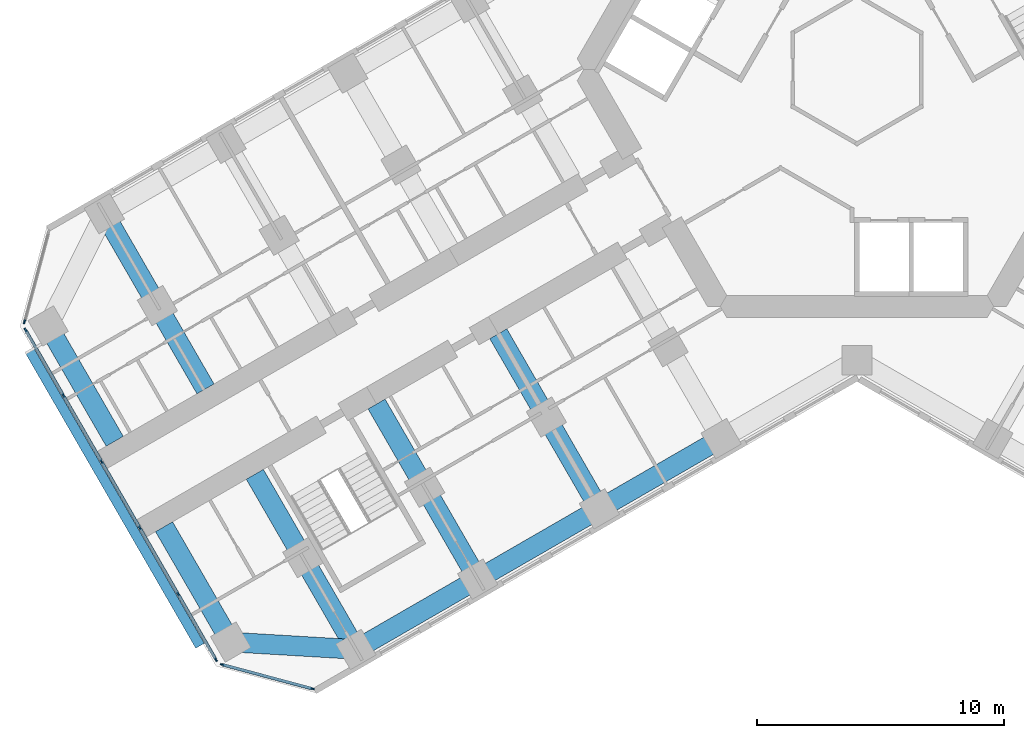
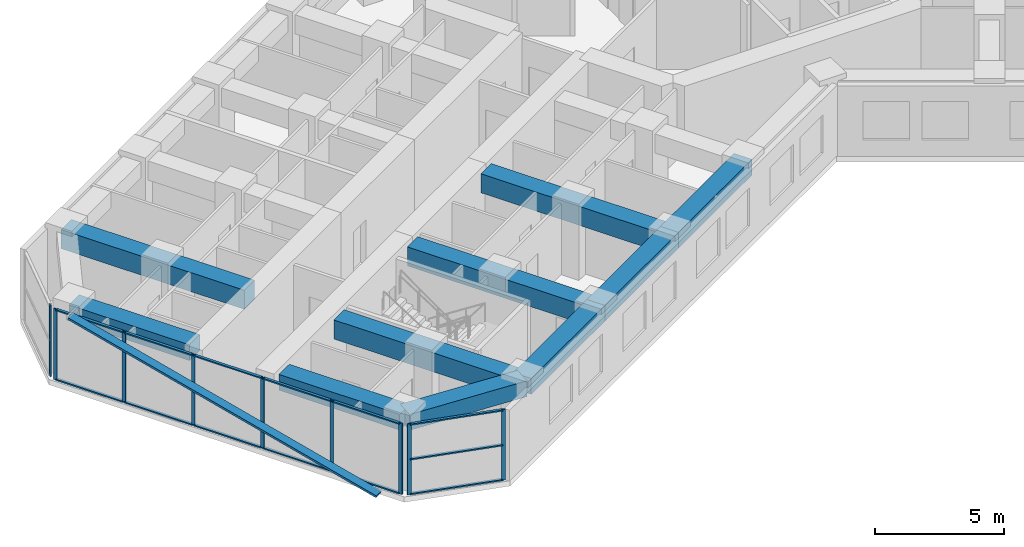
# One storey, part 2 of 20: 23 members, 10 beams, 3 elements without a shape of their own.
"""IFC4 building model written with IfcOpenShell, lengths in metres."""

from ifc_helpers import new_model, si_unit, direction, frame, origin, origin_2d, place, context, subcontext, project, spatial, rectangle, extrude, material, material_profile, profile_set, type_object, element, aggregate, save


model = new_model("IFC4")

# Units and contexts
model_context = context("Model", 3, precision=1e-05, world=origin(), true_north=direction((0.0, 1.0)))
body_context = subcontext(model_context, "Body", "Model", "MODEL_VIEW")
ifc_project = project(units=[si_unit("LENGTHUNIT", "METRE"), si_unit("AREAUNIT", "SQUARE_METRE"), si_unit("VOLUMEUNIT", "CUBIC_METRE"), si_unit("PLANEANGLEUNIT", "RADIAN"), si_unit("MASSUNIT", "GRAM", prefix="KILO")], contexts=[model_context])

# Site, building, storey
site_placement = place(None, origin())
site = spatial("IfcSite", under=ifc_project, at=site_placement, CompositionType="ELEMENT")
building_placement = place(site_placement, origin())
building = spatial("IfcBuilding", under=site, at=building_placement, Name="Kosmar Iwan School Tower", CompositionType="ELEMENT")
storey_placement = place(building_placement, frame((0.0, 0.0, 127.39990234375)))
storey = spatial("IfcBuildingStorey", under=building, at=storey_placement, Name="L31", CompositionType="ELEMENT", Elevation=127.39990234375)

# Member
ifc_material_1 = material(Name="Black anodised aluminium", Category="aluminium")
ifc_material_profile_1 = material_profile(ifc_material_1, rectangle(XDim=0.10009765625, YDim=0.39990234375, at=origin_2d()), Name="FIN 100x400")
ifc_profile_set_1 = profile_set([ifc_material_profile_1], Name="Black anodised aluminium")
member_type_1 = type_object("IfcMemberType", Name="Diagonal fin 100x400", PredefinedType="USERDEFINED", material=ifc_profile_set_1)
member_1_placement = place(storey_placement, frame((-26.645263671875, -23.34912109375, -0.14990234375), z_axis=(-0.483793446988, 0.837970316603, 0.25248692866), x_axis=(0.126241714543, -0.218661104574, 0.96760030532)))
element("IfcMember", 1, at=member_1_placement, inside=storey, type_object=member_type_1, Name="Diagonal fin L31-F13", ObjectType="FIN", PredefinedType="USERDEFINED", context=body_context, shape_type="SweptSolid", body=[
    extrude(rectangle(XDim=0.10009765625, YDim=0.39990234375, at=origin_2d()), origin(), (0.0, 0.0, 1.0), 14.258544921875),
])

# Curtain wall, member
ifc_material_2 = material(Name="Dark glass in black aluminium frame", Category="aluminium")
curtain_wall_type_1 = type_object("IfcCurtainWallType", Name="Chamfer curtain wall dark glass", PredefinedType="USERDEFINED", material=ifc_material_2)
curtain_wall_1_placement = place(storey_placement, origin())
curtain_wall_1 = element("IfcCurtainWall", 2, at=curtain_wall_1_placement, inside=storey, type_object=curtain_wall_type_1, Name="Curtain wall L31-F12", ObjectType="FACETED CURTAIN WALL", PredefinedType="USERDEFINED")
ifc_material_3 = material(Name="Black anodised aluminium", Category="aluminium")
ifc_material_profile_2 = material_profile(ifc_material_3, rectangle(XDim=0.06005859375, YDim=0.159912109375, at=origin_2d()), Name="MULLION 60x160")
ifc_profile_set_2 = profile_set([ifc_material_profile_2], Name="Black anodised aluminium")
member_type_2 = type_object("IfcMemberType", Name="Mullion 60x160", PredefinedType="MULLION", material=ifc_profile_set_2)
member_2_placement = place(storey_placement, frame((-33.7587890625, -10.2236328125, 0.0), z_axis=(0.0, 0.0, 1.0), x_axis=(0.965925875495, -0.258818861462, 0.0)))
member_2 = element("IfcMember", 3, at=member_2_placement, type_object=member_type_2, Name="CW2 mullion 2", PredefinedType="MULLION", context=body_context, shape_type="SweptSolid", body=[
    extrude(rectangle(XDim=0.06005859375, YDim=0.159912109375, at=origin_2d()), origin(), (0.0, 0.0, 1.0), 3.35009765625),
])
aggregate(curtain_wall_1, [member_2])

# Curtain wall, members
ifc_material_4 = material(Name="Dark glass in black aluminium frame", Category="aluminium")
curtain_wall_type_2 = type_object("IfcCurtainWallType", Name="Tower curtain wall dark glass", PredefinedType="USERDEFINED", material=ifc_material_4)
curtain_wall_2_placement = place(storey_placement, origin())
curtain_wall_2 = element("IfcCurtainWall", 4, at=curtain_wall_2_placement, inside=storey, type_object=curtain_wall_type_2, Name="Curtain wall L31-F13", ObjectType="UNITISED CURTAIN WALL", PredefinedType="USERDEFINED")
member_3_placement = place(storey_placement, frame((-33.71533203125, -10.55322265625, 0.0), z_axis=(0.0, 0.0, 1.0), x_axis=(0.866025405329, 0.499999997325, 0.0)))
member_3 = element("IfcMember", 5, at=member_3_placement, type_object=member_type_2, Name="CW1 mullion 1", PredefinedType="MULLION", context=body_context, shape_type="SweptSolid", body=[
    extrude(rectangle(XDim=0.06005859375, YDim=0.159912109375, at=origin_2d()), origin(), (0.0, 0.0, 1.0), 3.35009765625),
])
member_4_placement = place(storey_placement, frame((-32.1806640625, -13.21142578125, 0.0), z_axis=(0.0, 0.0, 1.0), x_axis=(0.866025405329, 0.499999997325, 0.0)))
member_4 = element("IfcMember", 6, at=member_4_placement, type_object=member_type_2, Name="CW1 mullion 2", PredefinedType="MULLION", context=body_context, shape_type="SweptSolid", body=[
    extrude(rectangle(XDim=0.06005859375, YDim=0.159912109375, at=origin_2d()), origin(), (0.0, 0.0, 1.0), 3.35009765625),
])
member_5_placement = place(storey_placement, frame((-30.631103515625, -15.8955078125, 0.0), z_axis=(0.0, 0.0, 1.0), x_axis=(0.866025405329, 0.499999997325, 0.0)))
member_5 = element("IfcMember", 7, at=member_5_placement, type_object=member_type_2, Name="CW1 mullion 3", PredefinedType="MULLION", context=body_context, shape_type="SweptSolid", body=[
    extrude(rectangle(XDim=0.06005859375, YDim=0.159912109375, at=origin_2d()), origin(), (0.0, 0.0, 1.0), 3.35009765625),
])
member_6_placement = place(storey_placement, frame((-29.081298828125, -18.57958984375, 0.0), z_axis=(0.0, 0.0, 1.0), x_axis=(0.866025405329, 0.499999997325, 0.0)))
member_6 = element("IfcMember", 8, at=member_6_placement, type_object=member_type_2, Name="CW1 mullion 4", PredefinedType="MULLION", context=body_context, shape_type="SweptSolid", body=[
    extrude(rectangle(XDim=0.06005859375, YDim=0.159912109375, at=origin_2d()), origin(), (0.0, 0.0, 1.0), 3.35009765625),
])
member_7_placement = place(storey_placement, frame((-27.53173828125, -21.263671875, 0.0), z_axis=(0.0, 0.0, 1.0), x_axis=(0.866025405329, 0.499999997325, 0.0)))
member_7 = element("IfcMember", 9, at=member_7_placement, type_object=member_type_2, Name="CW1 mullion 5", PredefinedType="MULLION", context=body_context, shape_type="SweptSolid", body=[
    extrude(rectangle(XDim=0.06005859375, YDim=0.159912109375, at=origin_2d()), origin(), (0.0, 0.0, 1.0), 3.35009765625),
])
member_8_placement = place(storey_placement, frame((-25.9970703125, -23.921630859375, 0.0), z_axis=(0.0, 0.0, 1.0), x_axis=(0.866025405329, 0.499999997325, 0.0)))
member_8 = element("IfcMember", 10, at=member_8_placement, type_object=member_type_2, Name="CW1 mullion 6", PredefinedType="MULLION", context=body_context, shape_type="SweptSolid", body=[
    extrude(rectangle(XDim=0.06005859375, YDim=0.159912109375, at=origin_2d()), origin(), (0.0, 0.0, 1.0), 3.35009765625),
])

curtain_wall_3_placement = place(storey_placement, origin())
curtain_wall_3 = element("IfcCurtainWall", 11, at=curtain_wall_3_placement, inside=storey, type_object=curtain_wall_type_1, Name="Curtain wall L31-F14", ObjectType="FACETED CURTAIN WALL", PredefinedType="USERDEFINED")
member_9_placement = place(storey_placement, frame((-25.733154296875, -24.124267578125, 0.0), z_axis=(0.0, 0.0, 1.0), x_axis=(0.258818861462, 0.965925875495, 0.0)))
member_9 = element("IfcMember", 12, at=member_9_placement, type_object=member_type_2, Name="CW2 mullion 1", PredefinedType="MULLION", context=body_context, shape_type="SweptSolid", body=[
    extrude(rectangle(XDim=0.06005859375, YDim=0.159912109375, at=origin_2d()), origin(), (0.0, 0.0, 1.0), 3.35009765625),
])
member_10_placement = place(storey_placement, frame((-22.0830078125, -25.102294921875, 0.0), z_axis=(0.0, 0.0, 1.0), x_axis=(0.258818861462, 0.965925875495, 0.0)))
member_10 = element("IfcMember", 13, at=member_10_placement, type_object=member_type_2, Name="CW2 mullion 2", PredefinedType="MULLION", context=body_context, shape_type="SweptSolid", body=[
    extrude(rectangle(XDim=0.06005859375, YDim=0.159912109375, at=origin_2d()), origin(), (0.0, 0.0, 1.0), 3.35009765625),
])

# Beams
ifc_material_5 = material(Name="Concrete C50/60", Category="concrete")
ifc_material_profile_3 = material_profile(ifc_material_5, rectangle(XDim=0.800048828125, YDim=0.75, at=origin_2d()), Name="RC 800x750")
ifc_profile_set_3 = profile_set([ifc_material_profile_3], Name="Concrete C50/60")
beam_type_1 = type_object("IfcBeamType", Name="RC edge beam 800x750", PredefinedType="BEAM", material=ifc_profile_set_3)
beam_1_placement = place(storey_placement, frame((-5.5087890625, -14.95849609375, 2.97509765625), z_axis=(-0.866033658841, -0.49998570155, 0.0), x_axis=(0.49998570155, -0.866033658841, 0.0)))
element("IfcBeam", 14, at=beam_1_placement, inside=storey, type_object=beam_type_1, Name="Edge beam BL2", PredefinedType="BEAM", context=body_context, shape_type="SweptSolid", body=[
    extrude(rectangle(XDim=0.800048828125, YDim=0.75, at=origin_2d()), origin(), (0.0, 0.0, 1.0), 5.699951171875),
])
beam_2_placement = place(storey_placement, frame((-10.445068359375, -17.808349609375, 2.97509765625), z_axis=(-0.866025820012, -0.499999279071, 0.0), x_axis=(0.499999279071, -0.866025820012, 0.0)))
element("IfcBeam", 15, at=beam_2_placement, inside=storey, type_object=beam_type_1, Name="Edge beam BL3", PredefinedType="BEAM", context=body_context, shape_type="SweptSolid", body=[
    extrude(rectangle(XDim=0.800048828125, YDim=0.75, at=origin_2d()), origin(), (0.0, 0.0, 1.0), 5.7001953125),
])
beam_3_placement = place(storey_placement, frame((-15.381591796875, -20.658447265625, 2.97509765625), z_axis=(-0.866015111908, -0.50001782563, 0.0), x_axis=(0.50001782563, -0.866015111908, 0.0)))
element("IfcBeam", 16, at=beam_3_placement, inside=storey, type_object=beam_type_1, Name="Edge beam BL4", PredefinedType="BEAM", context=body_context, shape_type="SweptSolid", body=[
    extrude(rectangle(XDim=0.800048828125, YDim=0.75, at=origin_2d()), origin(), (0.0, 0.0, 1.0), 5.699951171875),
])
ifc_material_6 = material(Name="Concrete C50/60", Category="concrete")
ifc_material_profile_4 = material_profile(ifc_material_6, rectangle(XDim=0.800048828125, YDim=0.75, at=origin_2d()), Name="RC 800x750")
ifc_profile_set_4 = profile_set([ifc_material_profile_4], Name="Concrete C50/60")
beam_type_2 = type_object("IfcBeamType", Name="RC tip beam 800x750", PredefinedType="BEAM", material=ifc_profile_set_4)
beam_4_placement = place(storey_placement, frame((-20.31787109375, -23.508544921875, 2.97509765625), z_axis=(-0.998260616478, 0.058955420358, 0.0), x_axis=(-0.058955420358, -0.998260616478, 0.0)))
element("IfcBeam", 17, at=beam_4_placement, inside=storey, type_object=beam_type_2, Name="Tip beam BL", PredefinedType="BEAM", context=body_context, shape_type="SweptSolid", body=[
    extrude(rectangle(XDim=0.800048828125, YDim=0.75, at=origin_2d()), origin(), (0.0, 0.0, 1.0), 5.08935546875),
])
for number, where, z_axis, x_axis, name in (
    (18, (-25.3984375, -23.20849609375, 2.97509765625), (-0.499995103361, 0.866028230842, 0.0), (-0.866028230842, -0.499995103361, 0.0), "Tip beam BL to corridor wall"),
    (19, (-32.79833984375, -10.391357421875, 2.97509765625), (0.499995103361, -0.866028230842, 0.0), (0.866028230842, 0.499995103361, 0.0), "Tip beam BR to corridor wall"),
):
    element("IfcBeam", number, at=place(storey_placement, frame(where, z_axis=z_axis, x_axis=x_axis)), inside=storey, type_object=beam_type_2, Name=name, PredefinedType="BEAM", context=body_context, shape_type="SweptSolid", body=[
        extrude(rectangle(XDim=0.800048828125, YDim=0.75, at=origin_2d()), origin(), (0.0, 0.0, 1.0), 5.39990234375),
    ])
ifc_material_7 = material(Name="Concrete C50/60", Category="concrete")
ifc_material_profile_5 = material_profile(ifc_material_7, rectangle(XDim=0.800048828125, YDim=0.89990234375, at=origin_2d()), Name="RC 800x900")
ifc_profile_set_5 = profile_set([ifc_material_profile_5], Name="Concrete C50/60")
beam_type_3 = type_object("IfcBeamType", Name="RC transverse beam 800x900", PredefinedType="BEAM", material=ifc_profile_set_5)
for number, where, z_axis, x_axis, name in (
    (20, (-10.445068359375, -17.808349609375, 2.900146484375), (-0.500013681986, 0.866017504342, 0.0), (-0.866017504342, -0.500013681986, 0.0), "Transverse beam BL2"),
    (21, (-15.381591796875, -20.658447265625, 2.900146484375), (-0.49999135188, 0.866030396721, 0.0), (-0.866030396721, -0.49999135188, 0.0), "Transverse beam BL3"),
    (22, (-20.31787109375, -23.508544921875, 2.900146484375), (-0.499978459874, 0.866037839625, 0.0), (-0.866037839625, -0.499978459874, 0.0), "Transverse beam BL4"),
    (23, (-30.517822265625, -5.841552734375, 2.900146484375), (0.500013681986, -0.866017504342, 0.0), (0.866017504342, 0.500013681986, 0.0), "Transverse beam BR4"),
):
    element("IfcBeam", number, at=place(storey_placement, frame(where, z_axis=z_axis, x_axis=x_axis)), inside=storey, type_object=beam_type_3, Name=name, PredefinedType="BEAM", context=body_context, shape_type="SweptSolid", body=[
        extrude(rectangle(XDim=0.800048828125, YDim=0.89990234375, at=origin_2d()), origin(), (0.0, 0.0, 1.0), 8.199951171875),
    ])

# Member
ifc_material_8 = material(Name="Black anodised aluminium", Category="aluminium")
ifc_material_profile_6 = material_profile(ifc_material_8, rectangle(XDim=0.1201171875, YDim=0.06005859375, at=origin_2d()), Name="TRANSOM 60x120")
ifc_profile_set_6 = profile_set([ifc_material_profile_6], Name="Black anodised aluminium")
member_type_3 = type_object("IfcMemberType", Name="Transom 60x120", PredefinedType="USERDEFINED", material=ifc_profile_set_6)
member_11_placement = place(storey_placement, frame((-33.700439453125, -10.579345703125, 0.030029296875), z_axis=(0.500022102064, -0.866012642776, 0.0), x_axis=(0.866012642776, 0.500022102064, 0.0)))
member_11 = element("IfcMember", 24, at=member_11_placement, type_object=member_type_3, Name="CW1 transom 1.1", ObjectType="TRANSOM", PredefinedType="USERDEFINED", context=body_context, shape_type="SweptSolid", body=[
    extrude(rectangle(XDim=0.1201171875, YDim=0.06005859375, at=origin_2d()), origin(), (0.0, 0.0, 1.0), 3.009033203125),
])

member_12_placement = place(storey_placement, frame((-33.700439453125, -10.579345703125, 3.320068359375), z_axis=(0.500022102064, -0.866012642776, 0.0), x_axis=(0.866012642776, 0.500022102064, 0.0)))
member_12 = element("IfcMember", 25, at=member_12_placement, type_object=member_type_3, Name="CW1 transom 1.2", ObjectType="TRANSOM", PredefinedType="USERDEFINED", context=body_context, shape_type="SweptSolid", body=[
    extrude(rectangle(XDim=0.1201171875, YDim=0.06005859375, at=origin_2d()), origin(), (0.0, 0.0, 1.0), 3.009033203125),
])

member_13_placement = place(storey_placement, frame((-32.165771484375, -13.2373046875, 0.030029296875), z_axis=(0.500035348339, -0.866004994449, 0.0), x_axis=(0.866004994449, 0.500035348339, 0.0)))
member_13 = element("IfcMember", 26, at=member_13_placement, type_object=member_type_3, Name="CW1 transom 2.1", ObjectType="TRANSOM", PredefinedType="USERDEFINED", context=body_context, shape_type="SweptSolid", body=[
    extrude(rectangle(XDim=0.1201171875, YDim=0.06005859375, at=origin_2d()), origin(), (0.0, 0.0, 1.0), 3.039306640625),
])

member_14_placement = place(storey_placement, frame((-32.165771484375, -13.2373046875, 3.320068359375), z_axis=(0.500035348339, -0.866004994449, 0.0), x_axis=(0.866004994449, 0.500035348339, 0.0)))
member_14 = element("IfcMember", 27, at=member_14_placement, type_object=member_type_3, Name="CW1 transom 2.2", ObjectType="TRANSOM", PredefinedType="USERDEFINED", context=body_context, shape_type="SweptSolid", body=[
    extrude(rectangle(XDim=0.1201171875, YDim=0.06005859375, at=origin_2d()), origin(), (0.0, 0.0, 1.0), 3.039306640625),
])

member_15_placement = place(storey_placement, frame((-30.615966796875, -15.92138671875, 0.030029296875), z_axis=(0.499975102327, -0.866039777986, 0.0), x_axis=(0.866039777986, 0.499975102327, 0.0)))
member_15 = element("IfcMember", 28, at=member_15_placement, type_object=member_type_3, Name="CW1 transom 3.1", ObjectType="TRANSOM", PredefinedType="USERDEFINED", context=body_context, shape_type="SweptSolid", body=[
    extrude(rectangle(XDim=0.1201171875, YDim=0.06005859375, at=origin_2d()), origin(), (0.0, 0.0, 1.0), 3.039306640625),
])

member_16_placement = place(storey_placement, frame((-30.615966796875, -15.92138671875, 3.320068359375), z_axis=(0.499975102327, -0.866039777986, 0.0), x_axis=(0.866039777986, 0.499975102327, 0.0)))
member_16 = element("IfcMember", 29, at=member_16_placement, type_object=member_type_3, Name="CW1 transom 3.2", ObjectType="TRANSOM", PredefinedType="USERDEFINED", context=body_context, shape_type="SweptSolid", body=[
    extrude(rectangle(XDim=0.1201171875, YDim=0.06005859375, at=origin_2d()), origin(), (0.0, 0.0, 1.0), 3.039306640625),
])

member_17_placement = place(storey_placement, frame((-29.06640625, -18.60546875, 0.030029296875), z_axis=(0.499975102327, -0.866039777986, 0.0), x_axis=(0.866039777986, 0.499975102327, 0.0)))
member_17 = element("IfcMember", 30, at=member_17_placement, type_object=member_type_3, Name="CW1 transom 4.1", ObjectType="TRANSOM", PredefinedType="USERDEFINED", context=body_context, shape_type="SweptSolid", body=[
    extrude(rectangle(XDim=0.1201171875, YDim=0.06005859375, at=origin_2d()), origin(), (0.0, 0.0, 1.0), 3.039306640625),
])

member_18_placement = place(storey_placement, frame((-29.06640625, -18.60546875, 3.320068359375), z_axis=(0.499975102327, -0.866039777986, 0.0), x_axis=(0.866039777986, 0.499975102327, 0.0)))
member_18 = element("IfcMember", 31, at=member_18_placement, type_object=member_type_3, Name="CW1 transom 4.2", ObjectType="TRANSOM", PredefinedType="USERDEFINED", context=body_context, shape_type="SweptSolid", body=[
    extrude(rectangle(XDim=0.1201171875, YDim=0.06005859375, at=origin_2d()), origin(), (0.0, 0.0, 1.0), 3.039306640625),
])

member_19_placement = place(storey_placement, frame((-27.516845703125, -21.28955078125, 0.030029296875), z_axis=(0.499986971506, -0.866032925658, 0.0), x_axis=(0.866032925658, 0.499986971506, 0.0)))
member_19 = element("IfcMember", 32, at=member_19_placement, type_object=member_type_3, Name="CW1 transom 5.1", ObjectType="TRANSOM", PredefinedType="USERDEFINED", context=body_context, shape_type="SweptSolid", body=[
    extrude(rectangle(XDim=0.1201171875, YDim=0.06005859375, at=origin_2d()), origin(), (0.0, 0.0, 1.0), 3.00927734375),
])

member_20_placement = place(storey_placement, frame((-27.516845703125, -21.28955078125, 3.320068359375), z_axis=(0.499986971506, -0.866032925658, 0.0), x_axis=(0.866032925658, 0.499986971506, 0.0)))
member_20 = element("IfcMember", 33, at=member_20_placement, type_object=member_type_3, Name="CW1 transom 5.2", ObjectType="TRANSOM", PredefinedType="USERDEFINED", context=body_context, shape_type="SweptSolid", body=[
    extrude(rectangle(XDim=0.1201171875, YDim=0.06005859375, at=origin_2d()), origin(), (0.0, 0.0, 1.0), 3.00927734375),
])

aggregate(curtain_wall_2, [member_3, member_4, member_5, member_6, member_7, member_8, member_11, member_12, member_13, member_14, member_15, member_16, member_17, member_18, member_19, member_20])

member_21_placement = place(storey_placement, frame((-25.704345703125, -24.1318359375, 0.030029296875), z_axis=(0.965923731726, -0.258826861991, 0.0), x_axis=(0.258826861991, 0.965923731726, 0.0)))
member_21 = element("IfcMember", 34, at=member_21_placement, type_object=member_type_3, Name="CW2 transom 1.1", ObjectType="TRANSOM", PredefinedType="USERDEFINED", context=body_context, shape_type="SweptSolid", body=[
    extrude(rectangle(XDim=0.1201171875, YDim=0.06005859375, at=origin_2d()), origin(), (0.0, 0.0, 1.0), 3.71923828125),
])

member_22_placement = place(storey_placement, frame((-25.704345703125, -24.1318359375, 1.675048828125), z_axis=(0.965923731726, -0.258826861991, 0.0), x_axis=(0.258826861991, 0.965923731726, 0.0)))
member_22 = element("IfcMember", 35, at=member_22_placement, type_object=member_type_3, Name="CW2 transom 1.2", ObjectType="TRANSOM", PredefinedType="USERDEFINED", context=body_context, shape_type="SweptSolid", body=[
    extrude(rectangle(XDim=0.1201171875, YDim=0.06005859375, at=origin_2d()), origin(), (0.0, 0.0, 1.0), 3.71923828125),
])

member_23_placement = place(storey_placement, frame((-25.704345703125, -24.1318359375, 3.320068359375), z_axis=(0.965923731726, -0.258826861991, 0.0), x_axis=(0.258826861991, 0.965923731726, 0.0)))
member_23 = element("IfcMember", 36, at=member_23_placement, type_object=member_type_3, Name="CW2 transom 1.3", ObjectType="TRANSOM", PredefinedType="USERDEFINED", context=body_context, shape_type="SweptSolid", body=[
    extrude(rectangle(XDim=0.1201171875, YDim=0.06005859375, at=origin_2d()), origin(), (0.0, 0.0, 1.0), 3.71923828125),
])

aggregate(curtain_wall_3, [member_9, member_10, member_21, member_22, member_23])

save(model, "model.ifc")
